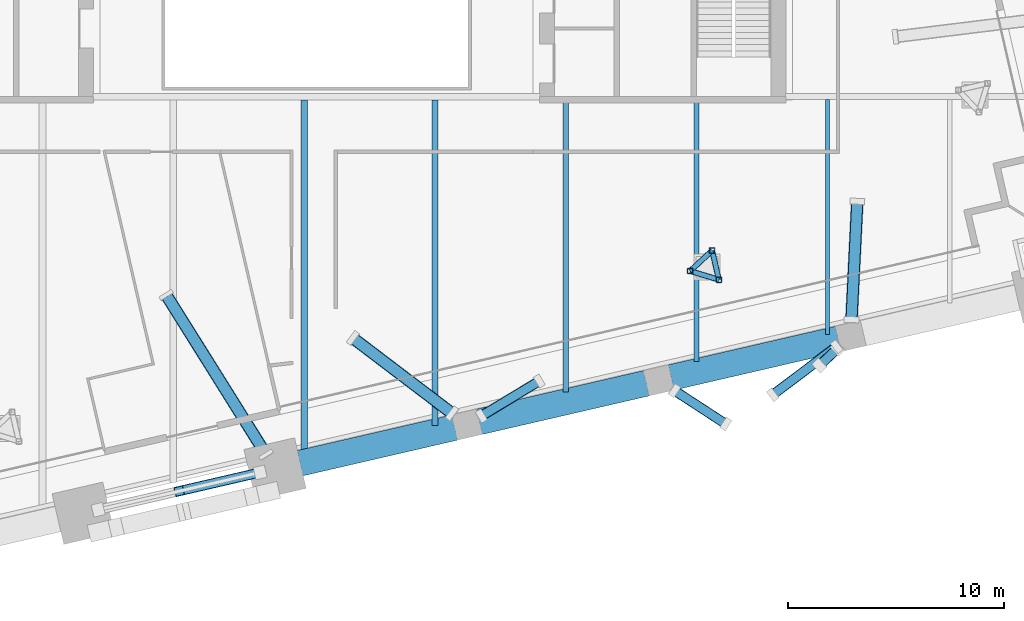
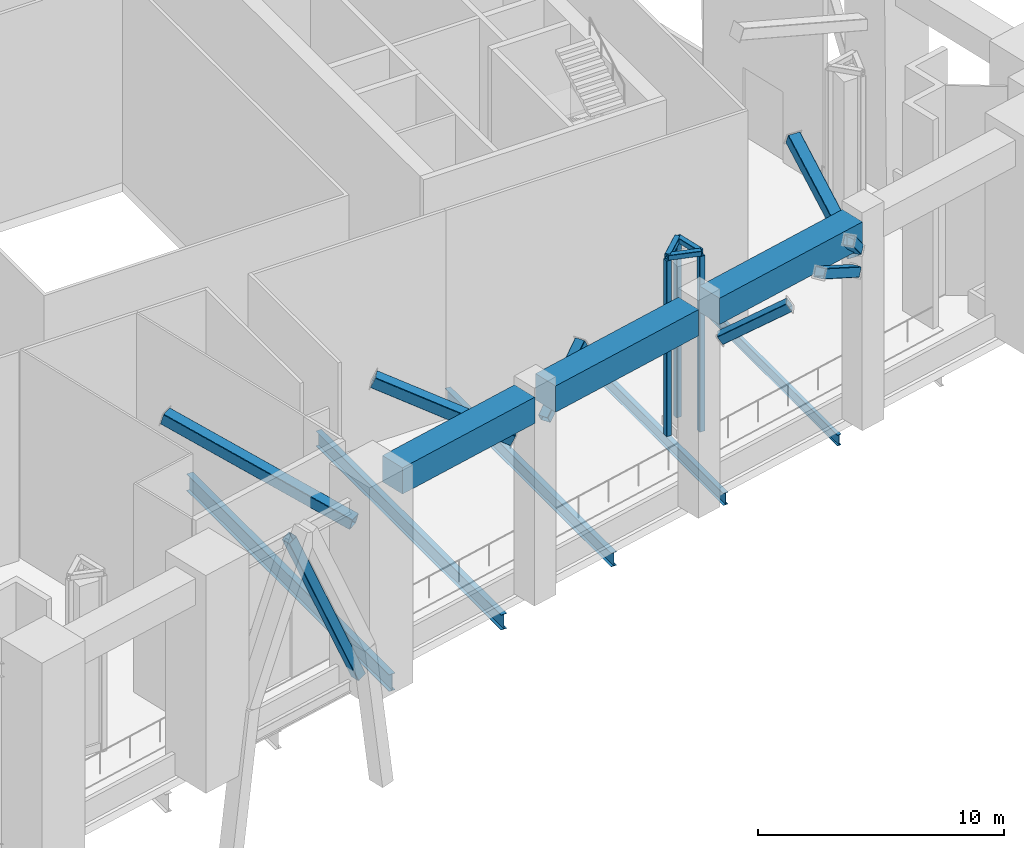
# One storey, part 4 of 25: 14 members, 8 beams.
"""IFC4 building model written with IfcOpenShell, lengths in metres."""

import ifcopenshell
import ifcopenshell.guid

model = None  # the IFC model being written
_history = None  # IfcOwnerHistory: only IFC2X3 demands one
_inside = {}  # id of a spatial element -> (the spatial element, [elements in it])
_under = {}  # id of a project, library or spatial element -> (it, [spatial elements below it])
_declared = {}  # id of a project -> (the project, [libraries it declares])
_typed = {}  # id of a type object -> (the type object, [elements of that type])
_made_of = {}  # id of a material, layer set ... -> (it, [elements and type objects made of it])


def new_model(schema):
    """Start an empty IFC model of exactly this schema.

    Asked for "IFC4X3", IfcOpenShell would pick the latest addendum, in which some entities
    have other attributes; the version numbers below select the first issue.
    IFC2X3 requires an IfcOwnerHistory on every rooted entity: one is made here for all.
    """
    global model, _history
    if schema == "IFC4X3":
        model = ifcopenshell.file(schema_version=(4, 3, 0, 0))
    else:
        model = ifcopenshell.file(schema=schema)
    _inside.clear()
    _under.clear()
    _declared.clear()
    _typed.clear()
    _made_of.clear()
    _history = None
    if model.schema == "IFC2X3":
        org = make("IfcOrganization", Name="unknown")
        user = make(
            "IfcPersonAndOrganization",
            ThePerson=make("IfcPerson", FamilyName="unknown"),
            TheOrganization=org,
        )
        app = make(
            "IfcApplication",
            ApplicationDeveloper=org,
            Version="unknown",
            ApplicationFullName="unknown",
            ApplicationIdentifier="unknown",
        )
        _history = make(
            "IfcOwnerHistory",
            OwningUser=user,
            OwningApplication=app,
            ChangeAction="ADDED",
            CreationDate=0,
        )
    return model


def make(cls, **values):
    """One entity of the class cls with the attributes given. An attribute that is None is left unset."""
    return model.create_entity(
        cls, **{name: value for name, value in values.items() if value is not None}
    )


def rooted(cls, **values):
    """An entity with a GlobalId (a new one), such as an element, a storey or a relation."""
    return make(cls, GlobalId=ifcopenshell.guid.new(), OwnerHistory=_history, **values)


def si_unit(unit_type, name, prefix=None):
    """IfcSIUnit, for example si_unit("LENGTHUNIT", "METRE", prefix="MILLI")."""
    return make("IfcSIUnit", UnitType=unit_type, Prefix=prefix, Name=name)


def assignment(units):
    """IfcUnitAssignment: the units of a project."""
    return None if units is None else make("IfcUnitAssignment", Units=units)


def point(xyz):
    """IfcCartesianPoint."""
    return None if xyz is None else make("IfcCartesianPoint", Coordinates=xyz)


def direction(xyz):
    """IfcDirection."""
    return None if xyz is None else make("IfcDirection", DirectionRatios=xyz)


def frame(location, z_axis=None, x_axis=None):
    """IfcAxis2Placement3D, a coordinate frame: its origin and axes. An axis left out is left unset."""
    return make(
        "IfcAxis2Placement3D",
        Location=point(location),
        Axis=direction(z_axis),
        RefDirection=direction(x_axis),
    )


def frame_2d(location, x_axis=None):
    """IfcAxis2Placement2D, a coordinate frame in the plane: its origin and x axis."""
    return make(
        "IfcAxis2Placement2D", Location=point(location), RefDirection=direction(x_axis)
    )


def origin():
    """The frame at (0, 0, 0) with its axes left unset."""
    return frame((0.0, 0.0, 0.0))


def origin_2d():
    """The frame at (0, 0) in the plane with its x axis left unset."""
    return frame_2d((0.0, 0.0))


def place(relative_to, where):
    """IfcLocalPlacement: puts the frame where relative to a parent placement (None: the world)."""
    return make(
        "IfcLocalPlacement", PlacementRelTo=relative_to, RelativePlacement=where
    )


def context(
    kind, dimensions, precision=None, world=None, true_north=None, identifier=None
):
    """IfcGeometricRepresentationContext, for example the 3D "Model" context."""
    return make(
        "IfcGeometricRepresentationContext",
        ContextIdentifier=identifier,
        ContextType=kind,
        CoordinateSpaceDimension=dimensions,
        Precision=precision,
        WorldCoordinateSystem=world,
        TrueNorth=true_north,
    )


def subcontext(parent, identifier, kind, view, scale=None):
    """IfcGeometricRepresentationSubContext, for example "Body" below "Model"."""
    return make(
        "IfcGeometricRepresentationSubContext",
        ContextIdentifier=identifier,
        ContextType=kind,
        ParentContext=parent,
        TargetScale=scale,
        TargetView=view,
    )


def project(units=None, contexts=None):
    """IfcProject with its units and contexts."""
    return rooted(
        "IfcProject",
        Name="project",
        RepresentationContexts=contexts,
        UnitsInContext=assignment(units),
    )


def spatial(cls, under=None, at=None, **own):
    """A site, building, storey or space (cls), placed at a placement, below another one or the project."""
    s = rooted(cls, ObjectPlacement=at, **own)
    if under is not None:
        _under.setdefault(under.id(), (under, []))[1].append(s)
    return s


def profile(cls, at=None, kind="AREA", **sizes):
    """A parametric profile (cls). Its sizes go by their IFC names, for example OverallWidth=200.0."""
    return make(cls, ProfileType=kind, Position=at, **sizes)


def rectangle(**sizes):
    """IfcRectangleProfileDef."""
    return profile("IfcRectangleProfileDef", **sizes)


def hollow_rectangle(**sizes):
    """IfcRectangleHollowProfileDef."""
    return profile("IfcRectangleHollowProfileDef", **sizes)


def i_section(**sizes):
    """IfcIShapeProfileDef."""
    return profile("IfcIShapeProfileDef", **sizes)


def extrude(swept, where, along, depth):
    """IfcExtrudedAreaSolid: the profile swept, set in the frame where, extruded along a direction by depth."""
    return make(
        "IfcExtrudedAreaSolid",
        SweptArea=swept,
        Position=where,
        ExtrudedDirection=direction(along),
        Depth=depth,
    )


def shape(context_of_items, identifier, shape_type, items):
    """IfcShapeRepresentation: the items that make up one representation, for example the "Body"."""
    return make(
        "IfcShapeRepresentation",
        ContextOfItems=context_of_items,
        RepresentationIdentifier=identifier,
        RepresentationType=shape_type,
        Items=items,
    )


def material(Name=None, Category=None):
    """IfcMaterial."""
    return make("IfcMaterial", Name=Name, Category=Category)


def material_profile(
    of_material, cross_section, Name=None, Category=None, Priority=None
):
    """IfcMaterialProfile: a cross section and its material."""
    return make(
        "IfcMaterialProfile",
        Name=Name,
        Material=of_material,
        Profile=cross_section,
        Priority=Priority,
        Category=Category,
    )


def profile_set(profiles, Name=None, composite=None):
    """IfcMaterialProfileSet."""
    return make(
        "IfcMaterialProfileSet",
        Name=Name,
        MaterialProfiles=profiles,
        CompositeProfile=composite,
    )


def made_of(thing, what):
    """Note that an element or type object is made of a material, layer set ...; save() writes the relation."""
    if what is not None:
        _made_of.setdefault(what.id(), (what, []))[1].append(thing)
    return thing


def type_object(cls, material=None, **own):
    """A type object (cls), such as IfcWallType, which elements share."""
    return made_of(rooted(cls, **own), material)


def element(
    cls,
    number,
    at=None,
    inside=None,
    cuts=None,
    type_object=None,
    material=None,
    context=None,
    identifier="Body",
    shape_type=None,
    held_by="IfcProductDefinitionShape",
    body=None,
    shapes=None,
    **own,
):
    """One element of the class cls, such as IfcWall. Its Tag is "e" and its number.

    at: its placement. inside: the storey or other place that contains it. cuts: it is an
    opening in that element (IfcRelVoidsElement). A single representation is given by context,
    identifier, shape_type and body (its items); several are given by shapes. held_by: the class
    of the entity that holds the representations. save() writes the other relations.
    """
    e = rooted(cls, Tag="e%d" % number, ObjectPlacement=at, **own)
    if body is not None:
        shapes = [shape(context, identifier, shape_type, body)]
    if shapes is not None:
        e.Representation = make(held_by, Representations=shapes)
    if inside is not None:
        _inside.setdefault(inside.id(), (inside, []))[1].append(e)
    if cuts is not None:
        rooted(
            "IfcRelVoidsElement", RelatingBuildingElement=cuts, RelatedOpeningElement=e
        )
    if type_object is not None:
        _typed.setdefault(type_object.id(), (type_object, []))[1].append(e)
    return made_of(e, material)


def aggregate(whole, parts):
    """IfcRelAggregates: a whole, such as a stair, and the parts it consists of."""
    return rooted("IfcRelAggregates", RelatingObject=whole, RelatedObjects=parts)


def save(model, path):
    """Write the relations noted so far, then the file.

    IfcRelAggregates (storeys below a building ...), IfcRelContainedInSpatialStructure (elements
    in a storey), IfcRelDefinesByType, IfcRelAssociatesMaterial and IfcRelDeclares: one each for
    every whole, place, type object, material and project.
    """
    for whole, parts in _under.values():
        aggregate(whole, parts)
    for where, things in _inside.values():
        rooted(
            "IfcRelContainedInSpatialStructure",
            RelatedElements=things,
            RelatingStructure=where,
        )
    for kind, things in _typed.values():
        rooted("IfcRelDefinesByType", RelatedObjects=things, RelatingType=kind)
    for what, things in _made_of.values():
        rooted("IfcRelAssociatesMaterial", RelatedObjects=things, RelatingMaterial=what)
    for by, libraries in _declared.values():
        rooted("IfcRelDeclares", RelatingContext=by, RelatedDefinitions=libraries)
    model.write(path)


model = new_model("IFC4")

# Units and contexts
model_context = context("Model", 3, precision=1e-05, world=origin(), true_north=direction((0.0, 1.0)))
body_context = subcontext(model_context, "Body", "Model", "MODEL_VIEW")
ifc_project = project(units=[si_unit("LENGTHUNIT", "METRE"), si_unit("AREAUNIT", "SQUARE_METRE"), si_unit("VOLUMEUNIT", "CUBIC_METRE"), si_unit("PLANEANGLEUNIT", "RADIAN"), si_unit("MASSUNIT", "GRAM", prefix="KILO")], contexts=[model_context])

# Site, building, storey
site_placement = place(None, origin())
site = spatial("IfcSite", under=ifc_project, at=site_placement, CompositionType="ELEMENT")
building_placement = place(site_placement, origin())
building = spatial("IfcBuilding", under=site, at=building_placement, Name="Ogive Exchange Tower", CompositionType="ELEMENT")
storey_placement = place(building_placement, frame((0.0, 0.0, 226.199951171875)))
storey = spatial("IfcBuildingStorey", under=building, at=storey_placement, Name="L50", CompositionType="ELEMENT", Elevation=226.199951171875)

# Members
ifc_material_1 = material(Name="Steel ASTM A1085 Gr A", Category="steel")
ifc_material_profile_1 = material_profile(ifc_material_1, hollow_rectangle(XDim=0.45703125, YDim=0.45703125, WallThickness=0.01904296875, InnerFilletRadius=0.01904296875, OuterFilletRadius=0.0380859375, at=origin_2d()), Name="HSS457.2x457.2x19")
ifc_profile_set_1 = profile_set([ifc_material_profile_1], Name="Steel ASTM A1085 Gr A")
member_type_1 = type_object("IfcMemberType", Name="Belt truss diagonal HSS457.2x457.2x19", PredefinedType="BRACE", material=ifc_profile_set_1)
member_1_placement = place(storey_placement, frame((-2.607177734375, -19.814697265625, 0.69091796875), z_axis=(-0.396522522441, -0.091556939187, 0.913447982145), x_axis=(0.22498021976, -0.974363330959, 0.0)))
element("IfcMember", 1, at=member_1_placement, inside=storey, type_object=member_type_1, Name="Belt truss diagonal 2b", PredefinedType="BRACE", context=body_context, shape_type="SweptSolid", body=[
    extrude(hollow_rectangle(XDim=0.45703125, YDim=0.45703125, WallThickness=0.01904296875, InnerFilletRadius=0.01904296875, OuterFilletRadius=0.0380859375, at=origin_2d()), origin(), (0.0, 0.0, 1.0), 9.43701171875),
])
ifc_material_profile_2 = material_profile(ifc_material_1, hollow_rectangle(XDim=0.45703125, YDim=0.45703125, WallThickness=0.01904296875, InnerFilletRadius=0.01904296875, OuterFilletRadius=0.0380859375, at=origin_2d()), Name="HSS457.2x457.2x19")
ifc_profile_set_2 = profile_set([ifc_material_profile_2], Name="Steel ASTM A1085 Gr A")
member_type_2 = type_object("IfcMemberType", Name="Block-change strut HSS457.2x457.2x19", PredefinedType="STRUT", material=ifc_profile_set_2)
member_2_placement = place(storey_placement, frame((7.6171875, -17.2060546875, 8.21630859375), z_axis=(0.727633075049, 0.439184497616, 0.526941253982), x_axis=(-0.516747399138, 0.856137912654, 0.0)))
element("IfcMember", 2, at=member_2_placement, inside=storey, type_object=member_type_2, Name="Block-change strut 6", PredefinedType="STRUT", context=body_context, shape_type="SweptSolid", body=[
    extrude(hollow_rectangle(XDim=0.45703125, YDim=0.45703125, WallThickness=0.01904296875, InnerFilletRadius=0.01904296875, OuterFilletRadius=0.0380859375, at=origin_2d()), origin(), (0.0, 0.0, 1.0), 3.655517578125),
])
member_3_placement = place(storey_placement, frame((16.54638671875, -16.03564453125, 8.400634765625), z_axis=(0.712181309903, -0.463807801119, 0.526953608437), x_axis=(0.545724260166, 0.837964815411, 0.0)))
element("IfcMember", 3, at=member_3_placement, inside=storey, type_object=member_type_2, Name="Block-change strut 7", PredefinedType="STRUT", context=body_context, shape_type="SweptSolid", body=[
    extrude(hollow_rectangle(XDim=0.45703125, YDim=0.45703125, WallThickness=0.01904296875, InnerFilletRadius=0.01904296875, OuterFilletRadius=0.0380859375, at=origin_2d()), origin(), (0.0, 0.0, 1.0), 3.3056640625),
])
member_4_placement = place(storey_placement, frame((24.0751953125, -14.08984375, 9.00830078125), z_axis=(-0.507839444751, -0.47978450349, 0.715476015367), x_axis=(0.686743330483, -0.726899991771, 0.0)))
element("IfcMember", 4, at=member_4_placement, inside=storey, type_object=member_type_2, Name="Block-change strut 8", PredefinedType="STRUT", context=body_context, shape_type="SweptSolid", body=[
    extrude(hollow_rectangle(XDim=0.45703125, YDim=0.45703125, WallThickness=0.01904296875, InnerFilletRadius=0.01904296875, OuterFilletRadius=0.0380859375, at=origin_2d()), origin(), (0.0, 0.0, 1.0), 1.627197265625),
])
member_5_placement = place(storey_placement, frame((24.034912109375, -14.00341796875, 7.860107421875), z_axis=(-0.678849292164, -0.511405436039, 0.526904278326), x_axis=(0.601706805861, -0.798717046131, 0.0)))
element("IfcMember", 5, at=member_5_placement, inside=storey, type_object=member_type_2, Name="Block-change strut 31", PredefinedType="STRUT", context=body_context, shape_type="SweptSolid", body=[
    extrude(hollow_rectangle(XDim=0.45703125, YDim=0.45703125, WallThickness=0.01904296875, InnerFilletRadius=0.01904296875, OuterFilletRadius=0.0380859375, at=origin_2d()), origin(), (0.0, 0.0, 1.0), 4.331787109375),
])
ifc_material_profile_3 = material_profile(ifc_material_1, hollow_rectangle(XDim=0.55908203125, YDim=0.55908203125, WallThickness=0.022216796875, InnerFilletRadius=0.022216796875, OuterFilletRadius=0.04443359375, at=origin_2d()), Name="HSS558.8x558.8x22.2")
ifc_profile_set_3 = profile_set([ifc_material_profile_3], Name="Steel ASTM A1085 Gr A")
member_type_3 = type_object("IfcMemberType", Name="Block-change strut HSS558.8x558.8x22.2", PredefinedType="STRUT", material=ifc_profile_set_3)
member_6_placement = place(storey_placement, frame((-2.333251953125, -18.98779296875, 7.687255859375), z_axis=(-0.511466666962, 0.817392175214, 0.265088438989), x_axis=(-0.847720123609, -0.53044376896, 0.0)))
element("IfcMember", 6, at=member_6_placement, inside=storey, type_object=member_type_3, Name="Block-change strut 4", PredefinedType="STRUT", context=body_context, shape_type="SweptSolid", body=[
    extrude(hollow_rectangle(XDim=0.55908203125, YDim=0.55908203125, WallThickness=0.022216796875, InnerFilletRadius=0.022216796875, OuterFilletRadius=0.04443359375, at=origin_2d()), origin(), (0.0, 0.0, 1.0), 9.00341796875),
])
member_7_placement = place(storey_placement, frame((6.259765625, -17.0830078125, 7.701416015625), z_axis=(-0.735540620828, 0.558641431176, 0.383275027214), x_axis=(-0.604829696113, -0.796354844714, 0.0)))
element("IfcMember", 7, at=member_7_placement, inside=storey, type_object=member_type_3, Name="Block-change strut 5", PredefinedType="STRUT", context=body_context, shape_type="SweptSolid", body=[
    extrude(hollow_rectangle(XDim=0.55908203125, YDim=0.55908203125, WallThickness=0.022216796875, InnerFilletRadius=0.022216796875, OuterFilletRadius=0.04443359375, at=origin_2d()), origin(), (0.0, 0.0, 1.0), 6.2119140625),
])
member_8_placement = place(storey_placement, frame((24.721923828125, -12.751220703125, 7.703857421875), z_axis=(0.044977665459, 0.91539398332, 0.400038579279), x_axis=(-0.998795068877, 0.049075557944, 0.0)))
element("IfcMember", 8, at=member_8_placement, inside=storey, type_object=member_type_3, Name="Block-change strut 9", PredefinedType="STRUT", context=body_context, shape_type="SweptSolid", body=[
    extrude(hollow_rectangle(XDim=0.55908203125, YDim=0.55908203125, WallThickness=0.022216796875, InnerFilletRadius=0.022216796875, OuterFilletRadius=0.04443359375, at=origin_2d()), origin(), (0.0, 0.0, 1.0), 5.94921875),
])

# Beams
ifc_material_2 = material(Name="Steel ASTM A992 Gr50", Category="steel")
ifc_material_profile_4 = material_profile(ifc_material_2, i_section(OverallWidth=0.1669921875, OverallDepth=0.535888671875, WebThickness=0.01025390625, FlangeThickness=0.0166015625, at=origin_2d()), Name="W530x85")
ifc_profile_set_4 = profile_set([ifc_material_profile_4], Name="Steel ASTM A992 Gr50")
beam_type_1 = type_object("IfcBeamType", Name="Floor beam W530x85", PredefinedType="JOIST", material=ifc_profile_set_4)
beam_1_placement = place(storey_placement, frame((23.615478515625, -13.448974609375, -0.718017578125), z_axis=(0.0, 1.0, 0.0), x_axis=(-1.0, 0.0, 0.0)))
element("IfcBeam", 9, at=beam_1_placement, inside=storey, type_object=beam_type_1, Name="Floor beam", PredefinedType="JOIST", context=body_context, shape_type="SweptSolid", body=[
    extrude(i_section(OverallWidth=0.1669921875, OverallDepth=0.535888671875, WebThickness=0.01025390625, FlangeThickness=0.0166015625, at=origin_2d()), origin(), (0.0, 0.0, 1.0), 10.870361328125),
])
ifc_material_profile_5 = material_profile(ifc_material_2, i_section(OverallWidth=0.22802734375, OverallDepth=0.60205078125, WebThickness=0.010498046875, FlangeThickness=0.014892578125, at=origin_2d()), Name="W610x101")
ifc_profile_set_5 = profile_set([ifc_material_profile_5], Name="Steel ASTM A992 Gr50")
beam_type_2 = type_object("IfcBeamType", Name="Floor beam W610x101", PredefinedType="JOIST", material=ifc_profile_set_5)
beam_2_placement = place(storey_placement, frame((17.568359375, -14.695068359375, -0.7509765625), z_axis=(0.0, 1.0, 0.0), x_axis=(-1.0, 0.0, 0.0)))
element("IfcBeam", 10, at=beam_2_placement, inside=storey, type_object=beam_type_2, Name="Floor beam", PredefinedType="JOIST", context=body_context, shape_type="SweptSolid", body=[
    extrude(i_section(OverallWidth=0.22802734375, OverallDepth=0.60205078125, WebThickness=0.010498046875, FlangeThickness=0.014892578125, at=origin_2d()), origin(), (0.0, 0.0, 1.0), 12.094970703125),
])
ifc_material_profile_6 = material_profile(ifc_material_2, i_section(OverallWidth=0.25390625, OverallDepth=0.677978515625, WebThickness=0.01171875, FlangeThickness=0.016357421875, at=origin_2d()), Name="W690x125")
ifc_profile_set_6 = profile_set([ifc_material_profile_6], Name="Steel ASTM A992 Gr50")
beam_type_3 = type_object("IfcBeamType", Name="Floor beam W690x125", PredefinedType="JOIST", material=ifc_profile_set_6)
beam_3_placement = place(storey_placement, frame((11.521240234375, -16.091064453125, -0.7890625), z_axis=(0.0, 1.0, 0.0), x_axis=(-1.0, 0.0, 0.0)))
element("IfcBeam", 11, at=beam_3_placement, inside=storey, type_object=beam_type_3, Name="Floor beam", PredefinedType="JOIST", context=body_context, shape_type="SweptSolid", body=[
    extrude(i_section(OverallWidth=0.25390625, OverallDepth=0.677978515625, WebThickness=0.01171875, FlangeThickness=0.016357421875, at=origin_2d()), origin(), (0.0, 0.0, 1.0), 13.490966796875),
])
ifc_material_profile_7 = material_profile(ifc_material_2, i_section(OverallWidth=0.26708984375, OverallDepth=0.75390625, WebThickness=0.01318359375, FlangeThickness=0.01708984375, at=origin_2d()), Name="W760x147")
ifc_profile_set_7 = profile_set([ifc_material_profile_7], Name="Steel ASTM A992 Gr50")
beam_type_4 = type_object("IfcBeamType", Name="Floor beam W760x147", PredefinedType="JOIST", material=ifc_profile_set_7)
beam_4_placement = place(storey_placement, frame((5.474365234375, -17.63720703125, -0.826904296875), z_axis=(0.0, 1.0, 0.0), x_axis=(-1.0, 0.0, 0.0)))
element("IfcBeam", 12, at=beam_4_placement, inside=storey, type_object=beam_type_4, Name="Floor beam", PredefinedType="JOIST", context=body_context, shape_type="SweptSolid", body=[
    extrude(i_section(OverallWidth=0.26708984375, OverallDepth=0.75390625, WebThickness=0.01318359375, FlangeThickness=0.01708984375, at=origin_2d()), origin(), (0.0, 0.0, 1.0), 15.042236328125),
])
ifc_material_profile_8 = material_profile(ifc_material_2, i_section(OverallWidth=0.2919921875, OverallDepth=0.8359375, WebThickness=0.013916015625, FlangeThickness=0.018798828125, at=origin_2d()), Name="W840x176")
ifc_profile_set_8 = profile_set([ifc_material_profile_8], Name="Steel ASTM A992 Gr50")
beam_type_5 = type_object("IfcBeamType", Name="Floor beam W840x176", PredefinedType="JOIST", material=ifc_profile_set_8)
beam_5_placement = place(storey_placement, frame((-0.57275390625, -19.033203125, -0.867919921875), z_axis=(0.0, 1.0, 0.0), x_axis=(-1.0, 0.0, 0.0)))
element("IfcBeam", 13, at=beam_5_placement, inside=storey, type_object=beam_type_5, Name="Floor beam", PredefinedType="JOIST", context=body_context, shape_type="SweptSolid", body=[
    extrude(i_section(OverallWidth=0.2919921875, OverallDepth=0.8359375, WebThickness=0.013916015625, FlangeThickness=0.018798828125, at=origin_2d()), origin(), (0.0, 0.0, 1.0), 16.438232421875),
])
ifc_material_3 = material(Name="Precast concrete C70/85 (limestone faced)", Category="masonry")
ifc_material_profile_9 = material_profile(ifc_material_3, rectangle(XDim=1.199951171875, YDim=1.300048828125, at=origin_2d()), Name="1200 x 1300")
ifc_profile_set_9 = profile_set([ifc_material_profile_9], Name="Precast concrete C70/85 (limestone faced)")
beam_type_6 = type_object("IfcBeamType", Name="Precast portal header beam 1200 x 1300 C70/85", PredefinedType="BEAM", material=ifc_profile_set_9)
beam_6_placement = place(storey_placement, frame((-0.76611328125, -19.3896484375, 9.699951171875), z_axis=(0.974372132694, 0.224942097061, 0.0), x_axis=(-0.224942097061, 0.974372132694, 0.0)))
element("IfcBeam", 14, at=beam_6_placement, inside=storey, type_object=beam_type_6, Name="Slot header beam 3", PredefinedType="BEAM", context=body_context, shape_type="SweptSolid", body=[
    extrude(rectangle(XDim=1.199951171875, YDim=1.300048828125, at=origin_2d()), origin(), (0.0, 0.0, 1.0), 7.34033203125),
])
for number, where, z_axis, x_axis, name in (
    (15, (7.51611328125, -17.4775390625, 9.699951171875), (0.974369944206, 0.224951576629, 0.0), (-0.224951576629, 0.974369944206, 0.0), "Slot header beam 4"),
    (16, (16.3828125, -15.430419921875, 9.699951171875), (0.974369944206, 0.224951576629, 0.0), (-0.224951576629, 0.974369944206, 0.0), "Slot header beam 5"),
):
    element("IfcBeam", number, at=place(storey_placement, frame(where, z_axis=z_axis, x_axis=x_axis)), inside=storey, type_object=beam_type_6, Name=name, PredefinedType="BEAM", context=body_context, shape_type="SweptSolid", body=[
        extrude(rectangle(XDim=1.199951171875, YDim=1.300048828125, at=origin_2d()), origin(), (0.0, 0.0, 1.0), 7.940185546875),
    ])

# Members
ifc_material_profile_10 = material_profile(ifc_material_1, hollow_rectangle(XDim=0.25390625, YDim=0.25390625, WallThickness=0.0126953125, InnerFilletRadius=0.0126953125, OuterFilletRadius=0.025390625, at=origin_2d()), Name="HSS254x254x12.7")
ifc_profile_set_10 = profile_set([ifc_material_profile_10], Name="Steel ASTM A1085 Gr A")
member_type_4 = type_object("IfcMemberType", Name="Turbine cage mast HSS254x254x12.7", PredefinedType="POST", material=ifc_profile_set_10)
for number, where, z_axis, x_axis, name in (
    (17, (18.281005859375, -9.560302734375, 0.0), (0.0, 0.0, 1.0), (1.0, 0.0, 0.0), "Turbine cage mast 02.1"),
    (18, (17.267578125, -10.50537109375, 0.0), (0.0, 0.0, 1.0), (1.0, 0.0, 0.0), "Turbine cage mast 02.2"),
    (19, (18.5927734375, -10.910400390625, 0.0), (0.0, 0.0, 1.0), (1.0, 0.0, 0.0), "Turbine cage mast 02.3"),
):
    element("IfcMember", number, at=place(storey_placement, frame(where, z_axis=z_axis, x_axis=x_axis)), inside=storey, type_object=member_type_4, Name=name, PredefinedType="POST", context=body_context, shape_type="SweptSolid", body=[
        extrude(hollow_rectangle(XDim=0.25390625, YDim=0.25390625, WallThickness=0.0126953125, InnerFilletRadius=0.0126953125, OuterFilletRadius=0.025390625, at=origin_2d()), origin(), (0.0, 0.0, 1.0), 8.696044921875),
    ])
ifc_material_profile_11 = material_profile(ifc_material_1, hollow_rectangle(XDim=0.25390625, YDim=0.25390625, WallThickness=0.0126953125, InnerFilletRadius=0.0126953125, OuterFilletRadius=0.025390625, at=origin_2d()), Name="HSS254x254x12.7")
ifc_profile_set_11 = profile_set([ifc_material_profile_11], Name="Steel ASTM A1085 Gr A")
member_type_5 = type_object("IfcMemberType", Name="Turbine cage ring member HSS254x254x12.7", PredefinedType="BRACE", material=ifc_profile_set_11)
for number, where, z_axis, x_axis, name in (
    (20, (18.281005859375, -9.560302734375, 8.822998046875), (-0.731342288184, -0.682010599268, 0.0), (0.682010599268, -0.731342288184, 0.0), "Turbine cage ring 02.1"),
    (21, (17.267578125, -10.50537109375, 8.822998046875), (0.956329685181, -0.29229015249, 0.0), (0.29229015249, 0.956329685181, 0.0), "Turbine cage ring 02.2"),
    (22, (18.5927734375, -10.910400390625, 8.822998046875), (-0.225001054267, 0.974358520042, 0.0), (-0.974358520042, -0.225001054267, 0.0), "Turbine cage ring 02.3"),
):
    element("IfcMember", number, at=place(storey_placement, frame(where, z_axis=z_axis, x_axis=x_axis)), inside=storey, type_object=member_type_5, Name=name, PredefinedType="BRACE", context=body_context, shape_type="SweptSolid", body=[
        extrude(hollow_rectangle(XDim=0.25390625, YDim=0.25390625, WallThickness=0.0126953125, InnerFilletRadius=0.0126953125, OuterFilletRadius=0.025390625, at=origin_2d()), origin(), (0.0, 0.0, 1.0), 1.3857421875),
    ])

save(model, "model.ifc")
